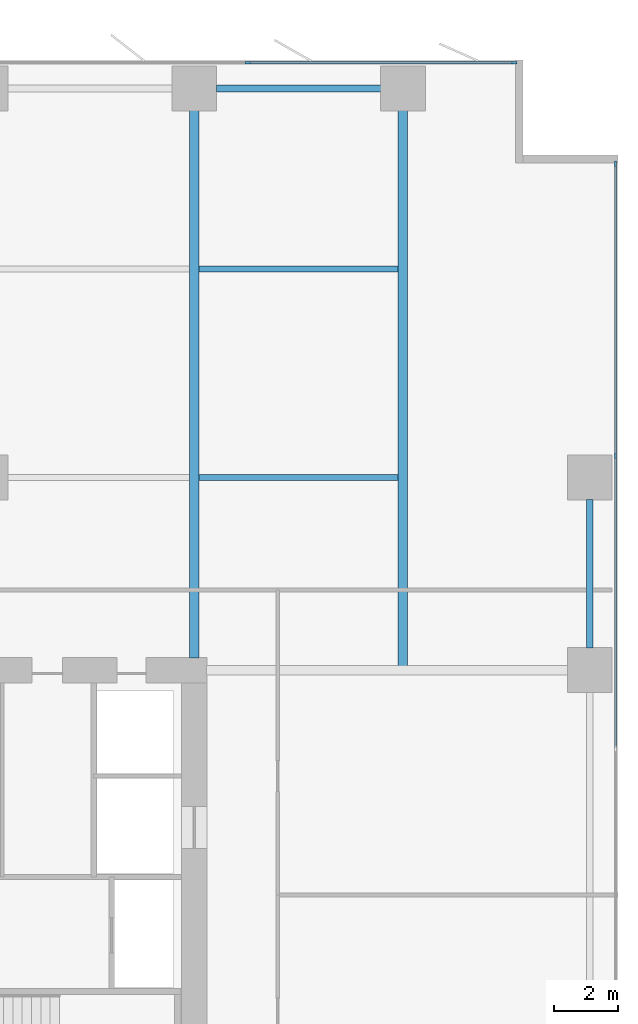
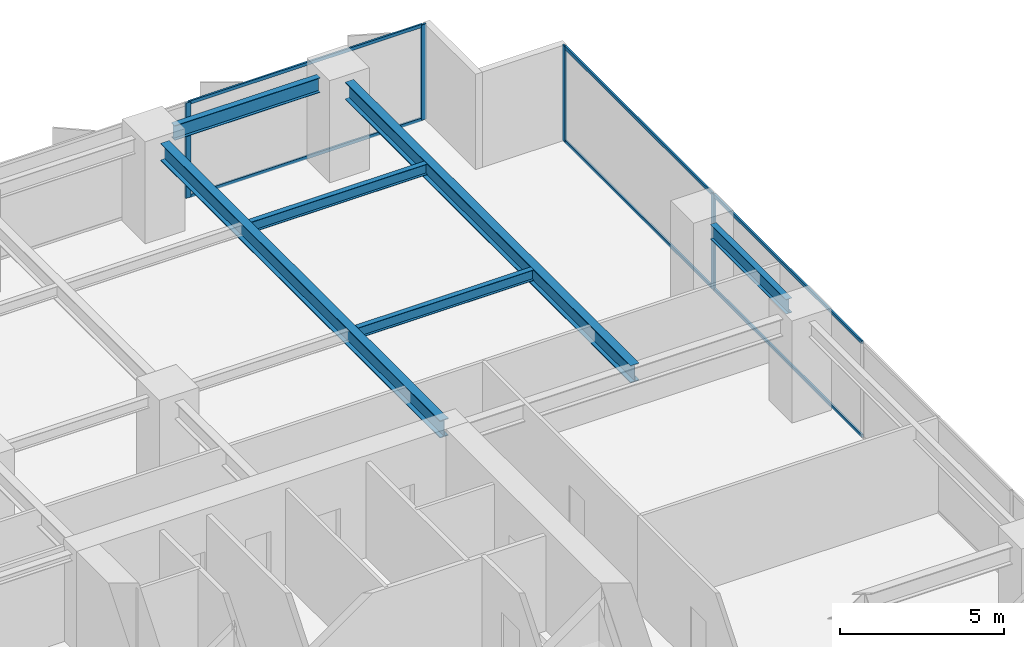
# One storey, part 11 of 20: 10 members, 6 beams, 2 elements without a shape of their own.
"""IFC4 building model written with IfcOpenShell, lengths in metres."""

import ifcopenshell
import ifcopenshell.guid

model = None  # the IFC model being written
_history = None  # IfcOwnerHistory: only IFC2X3 demands one
_inside = {}  # id of a spatial element -> (the spatial element, [elements in it])
_under = {}  # id of a project, library or spatial element -> (it, [spatial elements below it])
_declared = {}  # id of a project -> (the project, [libraries it declares])
_typed = {}  # id of a type object -> (the type object, [elements of that type])
_made_of = {}  # id of a material, layer set ... -> (it, [elements and type objects made of it])


def new_model(schema):
    """Start an empty IFC model of exactly this schema.

    Asked for "IFC4X3", IfcOpenShell would pick the latest addendum, in which some entities
    have other attributes; the version numbers below select the first issue.
    IFC2X3 requires an IfcOwnerHistory on every rooted entity: one is made here for all.
    """
    global model, _history
    if schema == "IFC4X3":
        model = ifcopenshell.file(schema_version=(4, 3, 0, 0))
    else:
        model = ifcopenshell.file(schema=schema)
    _inside.clear()
    _under.clear()
    _declared.clear()
    _typed.clear()
    _made_of.clear()
    _history = None
    if model.schema == "IFC2X3":
        org = make("IfcOrganization", Name="unknown")
        user = make(
            "IfcPersonAndOrganization",
            ThePerson=make("IfcPerson", FamilyName="unknown"),
            TheOrganization=org,
        )
        app = make(
            "IfcApplication",
            ApplicationDeveloper=org,
            Version="unknown",
            ApplicationFullName="unknown",
            ApplicationIdentifier="unknown",
        )
        _history = make(
            "IfcOwnerHistory",
            OwningUser=user,
            OwningApplication=app,
            ChangeAction="ADDED",
            CreationDate=0,
        )
    return model


def make(cls, **values):
    """One entity of the class cls with the attributes given. An attribute that is None is left unset."""
    return model.create_entity(
        cls, **{name: value for name, value in values.items() if value is not None}
    )


def rooted(cls, **values):
    """An entity with a GlobalId (a new one), such as an element, a storey or a relation."""
    return make(cls, GlobalId=ifcopenshell.guid.new(), OwnerHistory=_history, **values)


def si_unit(unit_type, name, prefix=None):
    """IfcSIUnit, for example si_unit("LENGTHUNIT", "METRE", prefix="MILLI")."""
    return make("IfcSIUnit", UnitType=unit_type, Prefix=prefix, Name=name)


def assignment(units):
    """IfcUnitAssignment: the units of a project."""
    return None if units is None else make("IfcUnitAssignment", Units=units)


def point(xyz):
    """IfcCartesianPoint."""
    return None if xyz is None else make("IfcCartesianPoint", Coordinates=xyz)


def direction(xyz):
    """IfcDirection."""
    return None if xyz is None else make("IfcDirection", DirectionRatios=xyz)


def frame(location, z_axis=None, x_axis=None):
    """IfcAxis2Placement3D, a coordinate frame: its origin and axes. An axis left out is left unset."""
    return make(
        "IfcAxis2Placement3D",
        Location=point(location),
        Axis=direction(z_axis),
        RefDirection=direction(x_axis),
    )


def frame_2d(location, x_axis=None):
    """IfcAxis2Placement2D, a coordinate frame in the plane: its origin and x axis."""
    return make(
        "IfcAxis2Placement2D", Location=point(location), RefDirection=direction(x_axis)
    )


def origin():
    """The frame at (0, 0, 0) with its axes left unset."""
    return frame((0.0, 0.0, 0.0))


def origin_2d():
    """The frame at (0, 0) in the plane with its x axis left unset."""
    return frame_2d((0.0, 0.0))


def place(relative_to, where):
    """IfcLocalPlacement: puts the frame where relative to a parent placement (None: the world)."""
    return make(
        "IfcLocalPlacement", PlacementRelTo=relative_to, RelativePlacement=where
    )


def context(
    kind, dimensions, precision=None, world=None, true_north=None, identifier=None
):
    """IfcGeometricRepresentationContext, for example the 3D "Model" context."""
    return make(
        "IfcGeometricRepresentationContext",
        ContextIdentifier=identifier,
        ContextType=kind,
        CoordinateSpaceDimension=dimensions,
        Precision=precision,
        WorldCoordinateSystem=world,
        TrueNorth=true_north,
    )


def subcontext(parent, identifier, kind, view, scale=None):
    """IfcGeometricRepresentationSubContext, for example "Body" below "Model"."""
    return make(
        "IfcGeometricRepresentationSubContext",
        ContextIdentifier=identifier,
        ContextType=kind,
        ParentContext=parent,
        TargetScale=scale,
        TargetView=view,
    )


def project(units=None, contexts=None):
    """IfcProject with its units and contexts."""
    return rooted(
        "IfcProject",
        Name="project",
        RepresentationContexts=contexts,
        UnitsInContext=assignment(units),
    )


def spatial(cls, under=None, at=None, **own):
    """A site, building, storey or space (cls), placed at a placement, below another one or the project."""
    s = rooted(cls, ObjectPlacement=at, **own)
    if under is not None:
        _under.setdefault(under.id(), (under, []))[1].append(s)
    return s


def profile(cls, at=None, kind="AREA", **sizes):
    """A parametric profile (cls). Its sizes go by their IFC names, for example OverallWidth=200.0."""
    return make(cls, ProfileType=kind, Position=at, **sizes)


def rectangle(**sizes):
    """IfcRectangleProfileDef."""
    return profile("IfcRectangleProfileDef", **sizes)


def i_section(**sizes):
    """IfcIShapeProfileDef."""
    return profile("IfcIShapeProfileDef", **sizes)


def extrude(swept, where, along, depth):
    """IfcExtrudedAreaSolid: the profile swept, set in the frame where, extruded along a direction by depth."""
    return make(
        "IfcExtrudedAreaSolid",
        SweptArea=swept,
        Position=where,
        ExtrudedDirection=direction(along),
        Depth=depth,
    )


def shape(context_of_items, identifier, shape_type, items):
    """IfcShapeRepresentation: the items that make up one representation, for example the "Body"."""
    return make(
        "IfcShapeRepresentation",
        ContextOfItems=context_of_items,
        RepresentationIdentifier=identifier,
        RepresentationType=shape_type,
        Items=items,
    )


def material(Name=None, Category=None):
    """IfcMaterial."""
    return make("IfcMaterial", Name=Name, Category=Category)


def layer(
    of_material, thickness, ventilated=None, Name=None, Category=None, Priority=None
):
    """IfcMaterialLayer: one layer of a wall or slab, of a material (None: an air gap)."""
    return make(
        "IfcMaterialLayer",
        Material=of_material,
        LayerThickness=thickness,
        IsVentilated=ventilated,
        Name=Name,
        Category=Category,
        Priority=Priority,
    )


def layer_set(layers, Name=None):
    """IfcMaterialLayerSet."""
    return make("IfcMaterialLayerSet", MaterialLayers=layers, LayerSetName=Name)


def material_profile(
    of_material, cross_section, Name=None, Category=None, Priority=None
):
    """IfcMaterialProfile: a cross section and its material."""
    return make(
        "IfcMaterialProfile",
        Name=Name,
        Material=of_material,
        Profile=cross_section,
        Priority=Priority,
        Category=Category,
    )


def profile_set(profiles, Name=None, composite=None):
    """IfcMaterialProfileSet."""
    return make(
        "IfcMaterialProfileSet",
        Name=Name,
        MaterialProfiles=profiles,
        CompositeProfile=composite,
    )


def made_of(thing, what):
    """Note that an element or type object is made of a material, layer set ...; save() writes the relation."""
    if what is not None:
        _made_of.setdefault(what.id(), (what, []))[1].append(thing)
    return thing


def type_object(cls, material=None, **own):
    """A type object (cls), such as IfcWallType, which elements share."""
    return made_of(rooted(cls, **own), material)


def element(
    cls,
    number,
    at=None,
    inside=None,
    cuts=None,
    type_object=None,
    material=None,
    context=None,
    identifier="Body",
    shape_type=None,
    held_by="IfcProductDefinitionShape",
    body=None,
    shapes=None,
    **own,
):
    """One element of the class cls, such as IfcWall. Its Tag is "e" and its number.

    at: its placement. inside: the storey or other place that contains it. cuts: it is an
    opening in that element (IfcRelVoidsElement). A single representation is given by context,
    identifier, shape_type and body (its items); several are given by shapes. held_by: the class
    of the entity that holds the representations. save() writes the other relations.
    """
    e = rooted(cls, Tag="e%d" % number, ObjectPlacement=at, **own)
    if body is not None:
        shapes = [shape(context, identifier, shape_type, body)]
    if shapes is not None:
        e.Representation = make(held_by, Representations=shapes)
    if inside is not None:
        _inside.setdefault(inside.id(), (inside, []))[1].append(e)
    if cuts is not None:
        rooted(
            "IfcRelVoidsElement", RelatingBuildingElement=cuts, RelatedOpeningElement=e
        )
    if type_object is not None:
        _typed.setdefault(type_object.id(), (type_object, []))[1].append(e)
    return made_of(e, material)


def aggregate(whole, parts):
    """IfcRelAggregates: a whole, such as a stair, and the parts it consists of."""
    return rooted("IfcRelAggregates", RelatingObject=whole, RelatedObjects=parts)


def save(model, path):
    """Write the relations noted so far, then the file.

    IfcRelAggregates (storeys below a building ...), IfcRelContainedInSpatialStructure (elements
    in a storey), IfcRelDefinesByType, IfcRelAssociatesMaterial and IfcRelDeclares: one each for
    every whole, place, type object, material and project.
    """
    for whole, parts in _under.values():
        aggregate(whole, parts)
    for where, things in _inside.values():
        rooted(
            "IfcRelContainedInSpatialStructure",
            RelatedElements=things,
            RelatingStructure=where,
        )
    for kind, things in _typed.values():
        rooted("IfcRelDefinesByType", RelatedObjects=things, RelatingType=kind)
    for what, things in _made_of.values():
        rooted("IfcRelAssociatesMaterial", RelatedObjects=things, RelatingMaterial=what)
    for by, libraries in _declared.values():
        rooted("IfcRelDeclares", RelatingContext=by, RelatedDefinitions=libraries)
    model.write(path)


model = new_model("IFC4")

# Units and contexts
model_context = context("Model", 3, precision=1e-05, world=origin(), true_north=direction((0.0, 1.0)))
body_context = subcontext(model_context, "Body", "Model", "MODEL_VIEW")
ifc_project = project(units=[si_unit("LENGTHUNIT", "METRE"), si_unit("AREAUNIT", "SQUARE_METRE"), si_unit("VOLUMEUNIT", "CUBIC_METRE"), si_unit("PLANEANGLEUNIT", "RADIAN"), si_unit("MASSUNIT", "GRAM", prefix="KILO")], contexts=[model_context])

# Site, building, storey
site_placement = place(None, origin())
site = spatial("IfcSite", under=ifc_project, at=site_placement, CompositionType="ELEMENT")
building_placement = place(site_placement, origin())
building = spatial("IfcBuilding", under=site, at=building_placement, Name="Putna Gate Headquarters", CompositionType="ELEMENT")
storey_placement = place(building_placement, frame((0.0, 0.0, 35.39990234375)))
storey = spatial("IfcBuildingStorey", under=building, at=storey_placement, Name="L07", CompositionType="ELEMENT", Elevation=35.39990234375)

# Beams
ifc_material_1 = material(Name="Steel S355J2", Category="steel")
ifc_material_profile_1 = material_profile(ifc_material_1, i_section(OverallWidth=0.300048828125, OverallDepth=0.64990234375, WebThickness=0.01611328125, FlangeThickness=0.031005859375, at=origin_2d()), Name="Steel S355J2")
ifc_profile_set_1 = profile_set([ifc_material_profile_1], Name="Steel S355J2")
beam_type_1 = type_object("IfcBeamType", Name="BM-GIRD-Z1-HEB650", PredefinedType="USERDEFINED", material=ifc_profile_set_1)
beam_1_placement = place(storey_placement, frame((65.0, 33.385009765625, 3.22509765625), z_axis=(0.0, 1.0, 0.0), x_axis=(-1.0, 0.0, 0.0)))
element("IfcBeam", 1, at=beam_1_placement, inside=storey, type_object=beam_type_1, Name="L07 North Primary Girder X65", ObjectType="GIRDER", PredefinedType="USERDEFINED", context=body_context, shape_type="SweptSolid", body=[
    extrude(i_section(OverallWidth=0.300048828125, OverallDepth=0.64990234375, WebThickness=0.01611328125, FlangeThickness=0.031005859375, at=origin_2d()), origin(), (0.0, 0.0, 1.0), 17.046875),
])
beam_2_placement = place(storey_placement, frame((71.5, 33.011962890625, 3.22509765625), z_axis=(0.0, 1.0, 0.0), x_axis=(-1.0, 0.0, 0.0)))
element("IfcBeam", 2, at=beam_2_placement, inside=storey, type_object=beam_type_1, Name="L07 North Primary Girder X71", ObjectType="GIRDER", PredefinedType="USERDEFINED", context=body_context, shape_type="SweptSolid", body=[
    extrude(i_section(OverallWidth=0.300048828125, OverallDepth=0.64990234375, WebThickness=0.01611328125, FlangeThickness=0.031005859375, at=origin_2d()), origin(), (0.0, 0.0, 1.0), 17.419921875),
])
ifc_material_profile_2 = material_profile(ifc_material_1, i_section(OverallWidth=0.179931640625, OverallDepth=0.39990234375, WebThickness=0.008544921875, FlangeThickness=0.013427734375, at=origin_2d()), Name="Steel S355J2")
ifc_profile_set_2 = profile_set([ifc_material_profile_2], Name="Steel S355J2")
beam_type_2 = type_object("IfcBeamType", Name="BM-SEC-Z1-IPE400", PredefinedType="BEAM", material=ifc_profile_set_2)
for number, where, z_axis, x_axis, name in (
    (3, (65.154052734375, 39.0, 3.35009765625), (1.0, 0.0, 0.0), (0.0, 1.0, 0.0), "L07 North Secondary Beam 10"),
    (4, (65.154052734375, 45.5, 3.35009765625), (1.0, 0.0, 0.0), (0.0, 1.0, 0.0), "L07 North Secondary Beam 10"),
):
    element("IfcBeam", number, at=place(storey_placement, frame(where, z_axis=z_axis, x_axis=x_axis)), inside=storey, type_object=beam_type_2, Name=name, PredefinedType="BEAM", context=body_context, shape_type="SweptSolid", body=[
        extrude(i_section(OverallWidth=0.179931640625, OverallDepth=0.39990234375, WebThickness=0.008544921875, FlangeThickness=0.013427734375, at=origin_2d()), origin(), (0.0, 0.0, 1.0), 6.19189453125),
    ])
ifc_material_profile_3 = material_profile(ifc_material_1, i_section(OverallWidth=0.2099609375, OverallDepth=0.550048828125, WebThickness=0.010986328125, FlangeThickness=0.01708984375, at=origin_2d()), Name="Steel S355J2")
ifc_profile_set_3 = profile_set([ifc_material_profile_3], Name="Steel S355J2")
beam_type_3 = type_object("IfcBeamType", Name="BM-SPAN-Z1-IPE550", PredefinedType="SPANDREL", material=ifc_profile_set_3)
beam_3_placement = place(storey_placement, frame((65.68798828125, 51.1201171875, 3.275146484375), z_axis=(1.0, 0.0, 0.0), x_axis=(0.0, 1.0, 0.0)))
element("IfcBeam", 5, at=beam_3_placement, inside=storey, type_object=beam_type_3, Name="L07 N Perimeter Spandrel 10", PredefinedType="SPANDREL", context=body_context, shape_type="SweptSolid", body=[
    extrude(i_section(OverallWidth=0.2099609375, OverallDepth=0.550048828125, WebThickness=0.010986328125, FlangeThickness=0.01708984375, at=origin_2d()), origin(), (0.0, 0.0, 1.0), 5.1240234375),
])
beam_4_placement = place(storey_placement, frame((77.320068359375, 33.68798828125, 3.275146484375), z_axis=(0.0, 1.0, 0.0), x_axis=(-1.0, 0.0, 0.0)))
element("IfcBeam", 6, at=beam_4_placement, inside=storey, type_object=beam_type_3, Name="L07 E End Spandrel 3", PredefinedType="SPANDREL", context=body_context, shape_type="SweptSolid", body=[
    extrude(i_section(OverallWidth=0.2099609375, OverallDepth=0.550048828125, WebThickness=0.010986328125, FlangeThickness=0.01708984375, at=origin_2d()), origin(), (0.0, 0.0, 1.0), 4.6240234375),
])

# Curtain wall, members
ifc_material_2 = material(Name="Anodised bronze aluminium curtain wall", Category="aluminium")
ifc_layer = layer(ifc_material_2, 0.179931640625)
ifc_layer_set = layer_set([ifc_layer], Name="Anodised bronze aluminium curtain wall")
curtain_wall_type = type_object("IfcCurtainWallType", Name="CW-SYS-Z1", PredefinedType="USERDEFINED", material=ifc_layer_set)
curtain_wall_1_placement = place(storey_placement, origin())
curtain_wall_1 = element("IfcCurtainWall", 7, at=curtain_wall_1_placement, inside=storey, type_object=curtain_wall_type, Name="L07 North East Curtain Wall", ObjectType="STICK CURTAIN WALL", PredefinedType="USERDEFINED")
ifc_material_3 = material(Name="Anodised bronze aluminium EN AW-6060", Category="aluminium")
ifc_material_profile_4 = material_profile(ifc_material_3, rectangle(XDim=0.070068359375, YDim=0.179931640625, at=origin_2d()), Name="Anodised bronze aluminium EN AW-6060")
ifc_profile_set_4 = profile_set([ifc_material_profile_4], Name="Anodised bronze aluminium EN AW-6060")
member_type_1 = type_object("IfcMemberType", Name="MULL-CWM-1", PredefinedType="MULLION", material=ifc_profile_set_4)
member_1_placement = place(storey_placement, frame((66.666748046875, 51.919921875, 0.0), z_axis=(0.0, 0.0, 1.0), x_axis=(0.0, 1.0, 0.0)))
member_1 = element("IfcMember", 8, at=member_1_placement, type_object=member_type_1, Name="CWS-1 mullion 3", PredefinedType="MULLION", context=body_context, shape_type="SweptSolid", body=[
    extrude(rectangle(XDim=0.070068359375, YDim=0.179931640625, at=origin_2d()), origin(), (0.0, 0.0, 1.0), 3.550048828125),
])
member_2_placement = place(storey_placement, frame((74.965087890625, 51.919921875, 0.0), z_axis=(0.0, 0.0, 1.0), x_axis=(0.0, 1.0, 0.0)))
member_2 = element("IfcMember", 9, at=member_2_placement, type_object=member_type_1, Name="CWS-1 mullion 4", PredefinedType="MULLION", context=body_context, shape_type="SweptSolid", body=[
    extrude(rectangle(XDim=0.070068359375, YDim=0.179931640625, at=origin_2d()), origin(), (0.0, 0.0, 1.0), 3.550048828125),
])

curtain_wall_2_placement = place(storey_placement, origin())
curtain_wall_2 = element("IfcCurtainWall", 10, at=curtain_wall_2_placement, inside=storey, type_object=curtain_wall_type, Name="L07 East Curtain Wall", ObjectType="STICK CURTAIN WALL", PredefinedType="USERDEFINED")
member_3_placement = place(storey_placement, frame((78.1201171875, 39.679931640625, 0.0), z_axis=(0.0, 0.0, 1.0), x_axis=(-1.0, 0.0, 0.0)))
member_3 = element("IfcMember", 11, at=member_3_placement, type_object=member_type_1, Name="CWS-1 mullion 5", PredefinedType="MULLION", context=body_context, shape_type="SweptSolid", body=[
    extrude(rectangle(XDim=0.070068359375, YDim=0.179931640625, at=origin_2d()), origin(), (0.0, 0.0, 1.0), 3.550048828125),
])
member_4_placement = place(storey_placement, frame((78.1201171875, 48.764892578125, 0.0), z_axis=(0.0, 0.0, 1.0), x_axis=(-1.0, 0.0, 0.0)))
member_4 = element("IfcMember", 12, at=member_4_placement, type_object=member_type_1, Name="CWS-1 mullion 6", PredefinedType="MULLION", context=body_context, shape_type="SweptSolid", body=[
    extrude(rectangle(XDim=0.070068359375, YDim=0.179931640625, at=origin_2d()), origin(), (0.0, 0.0, 1.0), 3.550048828125),
])

# Member
ifc_material_profile_5 = material_profile(ifc_material_3, rectangle(XDim=0.06494140625, YDim=0.1201171875, at=origin_2d()), Name="Anodised bronze aluminium EN AW-6060")
ifc_profile_set_5 = profile_set([ifc_material_profile_5], Name="Anodised bronze aluminium EN AW-6060")
member_type_2 = type_object("IfcMemberType", Name="TRAN-CWT-1", PredefinedType="USERDEFINED", material=ifc_profile_set_5)
member_5_placement = place(storey_placement, frame((66.70166015625, 51.919921875, 0.03271484375), z_axis=(1.0, 0.0, 0.0), x_axis=(0.0, 1.0, 0.0)))
member_5 = element("IfcMember", 13, at=member_5_placement, type_object=member_type_2, Name="CWS-1 transom 3.1", ObjectType="TRANSOM", PredefinedType="USERDEFINED", context=body_context, shape_type="SweptSolid", body=[
    extrude(rectangle(XDim=0.06494140625, YDim=0.1201171875, at=origin_2d()), origin(), (0.0, 0.0, 1.0), 8.228271484375),
])

member_6_placement = place(storey_placement, frame((66.70166015625, 51.919921875, 3.517578125), z_axis=(1.0, 0.0, 0.0), x_axis=(0.0, 1.0, 0.0)))
member_6 = element("IfcMember", 14, at=member_6_placement, type_object=member_type_2, Name="CWS-1 transom 3.2", ObjectType="TRANSOM", PredefinedType="USERDEFINED", context=body_context, shape_type="SweptSolid", body=[
    extrude(rectangle(XDim=0.06494140625, YDim=0.1201171875, at=origin_2d()), origin(), (0.0, 0.0, 1.0), 8.228271484375),
])

aggregate(curtain_wall_1, [member_1, member_2, member_5, member_6])

member_7_placement = place(storey_placement, frame((78.1201171875, 30.594970703125, 0.03271484375), z_axis=(0.0, 1.0, 0.0), x_axis=(-1.0, 0.0, 0.0)))
member_7 = element("IfcMember", 15, at=member_7_placement, type_object=member_type_2, Name="CWS-1 transom 4.1", ObjectType="TRANSOM", PredefinedType="USERDEFINED", context=body_context, shape_type="SweptSolid", body=[
    extrude(rectangle(XDim=0.06494140625, YDim=0.1201171875, at=origin_2d()), origin(), (0.0, 0.0, 1.0), 9.050048828125),
])

member_8_placement = place(storey_placement, frame((78.1201171875, 30.594970703125, 3.517578125), z_axis=(0.0, 1.0, 0.0), x_axis=(-1.0, 0.0, 0.0)))
member_8 = element("IfcMember", 16, at=member_8_placement, type_object=member_type_2, Name="CWS-1 transom 4.2", ObjectType="TRANSOM", PredefinedType="USERDEFINED", context=body_context, shape_type="SweptSolid", body=[
    extrude(rectangle(XDim=0.06494140625, YDim=0.1201171875, at=origin_2d()), origin(), (0.0, 0.0, 1.0), 9.050048828125),
])

member_9_placement = place(storey_placement, frame((78.1201171875, 39.715087890625, 0.03271484375), z_axis=(0.0, 1.0, 0.0), x_axis=(-1.0, 0.0, 0.0)))
member_9 = element("IfcMember", 17, at=member_9_placement, type_object=member_type_2, Name="CWS-1 transom 5.1", ObjectType="TRANSOM", PredefinedType="USERDEFINED", context=body_context, shape_type="SweptSolid", body=[
    extrude(rectangle(XDim=0.06494140625, YDim=0.1201171875, at=origin_2d()), origin(), (0.0, 0.0, 1.0), 9.014892578125),
])

member_10_placement = place(storey_placement, frame((78.1201171875, 39.715087890625, 3.517578125), z_axis=(0.0, 1.0, 0.0), x_axis=(-1.0, 0.0, 0.0)))
member_10 = element("IfcMember", 18, at=member_10_placement, type_object=member_type_2, Name="CWS-1 transom 5.2", ObjectType="TRANSOM", PredefinedType="USERDEFINED", context=body_context, shape_type="SweptSolid", body=[
    extrude(rectangle(XDim=0.06494140625, YDim=0.1201171875, at=origin_2d()), origin(), (0.0, 0.0, 1.0), 9.014892578125),
])

aggregate(curtain_wall_2, [member_3, member_4, member_7, member_8, member_9, member_10])

save(model, "model.ifc")
